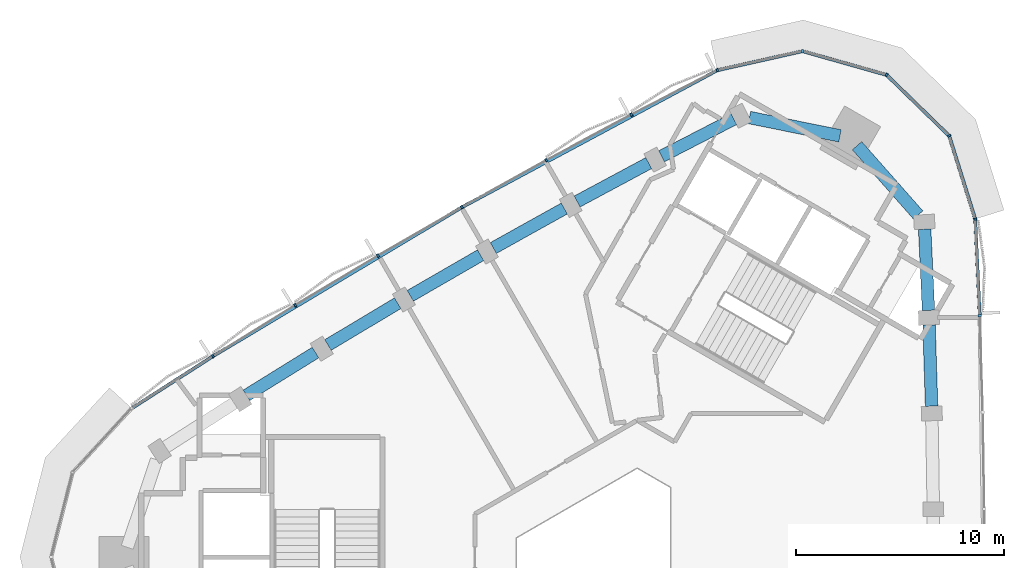
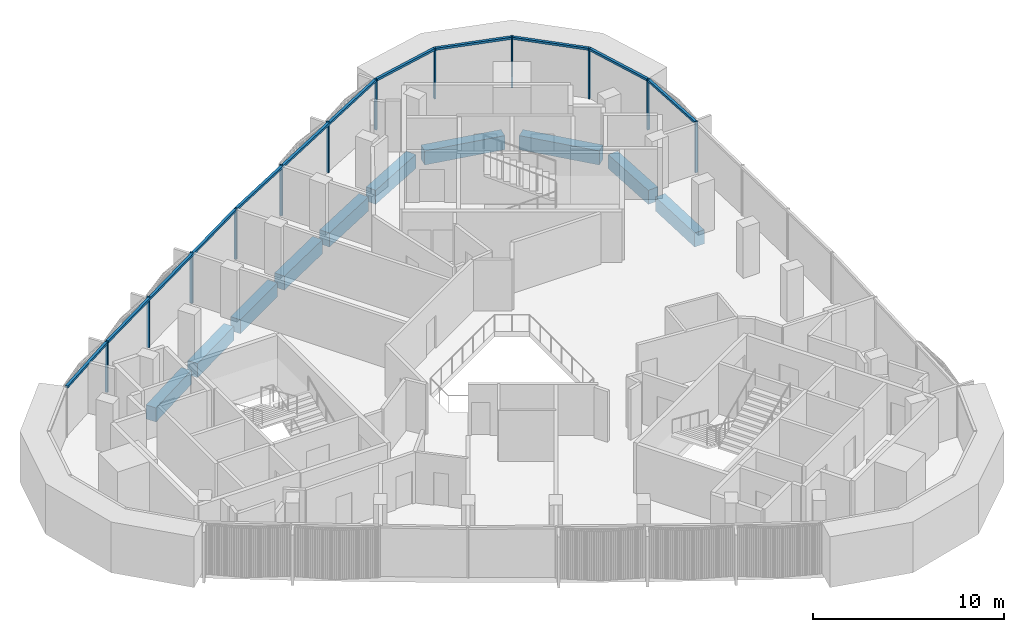
# One storey, part 4 of 12: 20 members, 10 beams, 2 elements without a shape of their own.
"""IFC4 building model written with IfcOpenShell, lengths in metres."""

import ifcopenshell
import ifcopenshell.guid

model = None  # the IFC model being written
_history = None  # IfcOwnerHistory: only IFC2X3 demands one
_inside = {}  # id of a spatial element -> (the spatial element, [elements in it])
_under = {}  # id of a project, library or spatial element -> (it, [spatial elements below it])
_declared = {}  # id of a project -> (the project, [libraries it declares])
_typed = {}  # id of a type object -> (the type object, [elements of that type])
_made_of = {}  # id of a material, layer set ... -> (it, [elements and type objects made of it])


def new_model(schema):
    """Start an empty IFC model of exactly this schema.

    Asked for "IFC4X3", IfcOpenShell would pick the latest addendum, in which some entities
    have other attributes; the version numbers below select the first issue.
    IFC2X3 requires an IfcOwnerHistory on every rooted entity: one is made here for all.
    """
    global model, _history
    if schema == "IFC4X3":
        model = ifcopenshell.file(schema_version=(4, 3, 0, 0))
    else:
        model = ifcopenshell.file(schema=schema)
    _inside.clear()
    _under.clear()
    _declared.clear()
    _typed.clear()
    _made_of.clear()
    _history = None
    if model.schema == "IFC2X3":
        org = make("IfcOrganization", Name="unknown")
        user = make(
            "IfcPersonAndOrganization",
            ThePerson=make("IfcPerson", FamilyName="unknown"),
            TheOrganization=org,
        )
        app = make(
            "IfcApplication",
            ApplicationDeveloper=org,
            Version="unknown",
            ApplicationFullName="unknown",
            ApplicationIdentifier="unknown",
        )
        _history = make(
            "IfcOwnerHistory",
            OwningUser=user,
            OwningApplication=app,
            ChangeAction="ADDED",
            CreationDate=0,
        )
    return model


def make(cls, **values):
    """One entity of the class cls with the attributes given. An attribute that is None is left unset."""
    return model.create_entity(
        cls, **{name: value for name, value in values.items() if value is not None}
    )


def rooted(cls, **values):
    """An entity with a GlobalId (a new one), such as an element, a storey or a relation."""
    return make(cls, GlobalId=ifcopenshell.guid.new(), OwnerHistory=_history, **values)


def si_unit(unit_type, name, prefix=None):
    """IfcSIUnit, for example si_unit("LENGTHUNIT", "METRE", prefix="MILLI")."""
    return make("IfcSIUnit", UnitType=unit_type, Prefix=prefix, Name=name)


def assignment(units):
    """IfcUnitAssignment: the units of a project."""
    return None if units is None else make("IfcUnitAssignment", Units=units)


def point(xyz):
    """IfcCartesianPoint."""
    return None if xyz is None else make("IfcCartesianPoint", Coordinates=xyz)


def direction(xyz):
    """IfcDirection."""
    return None if xyz is None else make("IfcDirection", DirectionRatios=xyz)


def frame(location, z_axis=None, x_axis=None):
    """IfcAxis2Placement3D, a coordinate frame: its origin and axes. An axis left out is left unset."""
    return make(
        "IfcAxis2Placement3D",
        Location=point(location),
        Axis=direction(z_axis),
        RefDirection=direction(x_axis),
    )


def frame_2d(location, x_axis=None):
    """IfcAxis2Placement2D, a coordinate frame in the plane: its origin and x axis."""
    return make(
        "IfcAxis2Placement2D", Location=point(location), RefDirection=direction(x_axis)
    )


def origin():
    """The frame at (0, 0, 0) with its axes left unset."""
    return frame((0.0, 0.0, 0.0))


def origin_2d():
    """The frame at (0, 0) in the plane with its x axis left unset."""
    return frame_2d((0.0, 0.0))


def place(relative_to, where):
    """IfcLocalPlacement: puts the frame where relative to a parent placement (None: the world)."""
    return make(
        "IfcLocalPlacement", PlacementRelTo=relative_to, RelativePlacement=where
    )


def context(
    kind, dimensions, precision=None, world=None, true_north=None, identifier=None
):
    """IfcGeometricRepresentationContext, for example the 3D "Model" context."""
    return make(
        "IfcGeometricRepresentationContext",
        ContextIdentifier=identifier,
        ContextType=kind,
        CoordinateSpaceDimension=dimensions,
        Precision=precision,
        WorldCoordinateSystem=world,
        TrueNorth=true_north,
    )


def subcontext(parent, identifier, kind, view, scale=None):
    """IfcGeometricRepresentationSubContext, for example "Body" below "Model"."""
    return make(
        "IfcGeometricRepresentationSubContext",
        ContextIdentifier=identifier,
        ContextType=kind,
        ParentContext=parent,
        TargetScale=scale,
        TargetView=view,
    )


def project(units=None, contexts=None):
    """IfcProject with its units and contexts."""
    return rooted(
        "IfcProject",
        Name="project",
        RepresentationContexts=contexts,
        UnitsInContext=assignment(units),
    )


def spatial(cls, under=None, at=None, **own):
    """A site, building, storey or space (cls), placed at a placement, below another one or the project."""
    s = rooted(cls, ObjectPlacement=at, **own)
    if under is not None:
        _under.setdefault(under.id(), (under, []))[1].append(s)
    return s


def profile(cls, at=None, kind="AREA", **sizes):
    """A parametric profile (cls). Its sizes go by their IFC names, for example OverallWidth=200.0."""
    return make(cls, ProfileType=kind, Position=at, **sizes)


def rectangle(**sizes):
    """IfcRectangleProfileDef."""
    return profile("IfcRectangleProfileDef", **sizes)


def extrude(swept, where, along, depth):
    """IfcExtrudedAreaSolid: the profile swept, set in the frame where, extruded along a direction by depth."""
    return make(
        "IfcExtrudedAreaSolid",
        SweptArea=swept,
        Position=where,
        ExtrudedDirection=direction(along),
        Depth=depth,
    )


def shape(context_of_items, identifier, shape_type, items):
    """IfcShapeRepresentation: the items that make up one representation, for example the "Body"."""
    return make(
        "IfcShapeRepresentation",
        ContextOfItems=context_of_items,
        RepresentationIdentifier=identifier,
        RepresentationType=shape_type,
        Items=items,
    )


def material(Name=None, Category=None):
    """IfcMaterial."""
    return make("IfcMaterial", Name=Name, Category=Category)


def material_profile(
    of_material, cross_section, Name=None, Category=None, Priority=None
):
    """IfcMaterialProfile: a cross section and its material."""
    return make(
        "IfcMaterialProfile",
        Name=Name,
        Material=of_material,
        Profile=cross_section,
        Priority=Priority,
        Category=Category,
    )


def profile_set(profiles, Name=None, composite=None):
    """IfcMaterialProfileSet."""
    return make(
        "IfcMaterialProfileSet",
        Name=Name,
        MaterialProfiles=profiles,
        CompositeProfile=composite,
    )


def made_of(thing, what):
    """Note that an element or type object is made of a material, layer set ...; save() writes the relation."""
    if what is not None:
        _made_of.setdefault(what.id(), (what, []))[1].append(thing)
    return thing


def type_object(cls, material=None, **own):
    """A type object (cls), such as IfcWallType, which elements share."""
    return made_of(rooted(cls, **own), material)


def element(
    cls,
    number,
    at=None,
    inside=None,
    cuts=None,
    type_object=None,
    material=None,
    context=None,
    identifier="Body",
    shape_type=None,
    held_by="IfcProductDefinitionShape",
    body=None,
    shapes=None,
    **own,
):
    """One element of the class cls, such as IfcWall. Its Tag is "e" and its number.

    at: its placement. inside: the storey or other place that contains it. cuts: it is an
    opening in that element (IfcRelVoidsElement). A single representation is given by context,
    identifier, shape_type and body (its items); several are given by shapes. held_by: the class
    of the entity that holds the representations. save() writes the other relations.
    """
    e = rooted(cls, Tag="e%d" % number, ObjectPlacement=at, **own)
    if body is not None:
        shapes = [shape(context, identifier, shape_type, body)]
    if shapes is not None:
        e.Representation = make(held_by, Representations=shapes)
    if inside is not None:
        _inside.setdefault(inside.id(), (inside, []))[1].append(e)
    if cuts is not None:
        rooted(
            "IfcRelVoidsElement", RelatingBuildingElement=cuts, RelatedOpeningElement=e
        )
    if type_object is not None:
        _typed.setdefault(type_object.id(), (type_object, []))[1].append(e)
    return made_of(e, material)


def aggregate(whole, parts):
    """IfcRelAggregates: a whole, such as a stair, and the parts it consists of."""
    return rooted("IfcRelAggregates", RelatingObject=whole, RelatedObjects=parts)


def save(model, path):
    """Write the relations noted so far, then the file.

    IfcRelAggregates (storeys below a building ...), IfcRelContainedInSpatialStructure (elements
    in a storey), IfcRelDefinesByType, IfcRelAssociatesMaterial and IfcRelDeclares: one each for
    every whole, place, type object, material and project.
    """
    for whole, parts in _under.values():
        aggregate(whole, parts)
    for where, things in _inside.values():
        rooted(
            "IfcRelContainedInSpatialStructure",
            RelatedElements=things,
            RelatingStructure=where,
        )
    for kind, things in _typed.values():
        rooted("IfcRelDefinesByType", RelatedObjects=things, RelatingType=kind)
    for what, things in _made_of.values():
        rooted("IfcRelAssociatesMaterial", RelatedObjects=things, RelatingMaterial=what)
    for by, libraries in _declared.values():
        rooted("IfcRelDeclares", RelatingContext=by, RelatedDefinitions=libraries)
    model.write(path)


model = new_model("IFC4")

# Units and contexts
model_context = context("Model", 3, precision=1e-05, world=origin(), true_north=direction((0.0, 1.0)))
body_context = subcontext(model_context, "Body", "Model", "MODEL_VIEW")
ifc_project = project(units=[si_unit("LENGTHUNIT", "METRE"), si_unit("AREAUNIT", "SQUARE_METRE"), si_unit("VOLUMEUNIT", "CUBIC_METRE"), si_unit("PLANEANGLEUNIT", "RADIAN"), si_unit("MASSUNIT", "GRAM", prefix="KILO")], contexts=[model_context])

# Site, building, storey
site_placement = place(None, origin())
site = spatial("IfcSite", under=ifc_project, at=site_placement, CompositionType="ELEMENT")
building_placement = place(site_placement, origin())
building = spatial("IfcBuilding", under=site, at=building_placement, Name="Tamra Quay Hotel Tower", CompositionType="ELEMENT")
storey_placement = place(building_placement, frame((0.0, 0.0, 280.199951171875)))
storey = spatial("IfcBuildingStorey", under=building, at=storey_placement, Name="L71", CompositionType="ELEMENT", Elevation=280.199951171875)

# Curtain wall, members
ifc_material_1 = material(Name="Aluminium 6063 anodised dark grey", Category="aluminium")
curtain_wall_type_1 = type_object("IfcCurtainWallType", Name="CW1 CURTAIN WALL", PredefinedType="NOTDEFINED", material=ifc_material_1)
curtain_wall_1_placement = place(storey_placement, origin())
curtain_wall_1 = element("IfcCurtainWall", 1, at=curtain_wall_1_placement, inside=storey, type_object=curtain_wall_type_1, Name="CW1 east face L71", PredefinedType="NOTDEFINED")
ifc_material_profile_1 = material_profile(ifc_material_1, rectangle(XDim=0.159912109375, YDim=0.10009765625, at=origin_2d()), Name="MULLION 100X160")
ifc_profile_set_1 = profile_set([ifc_material_profile_1], Name="Aluminium 6063 anodised dark grey")
member_type_1 = type_object("IfcMemberType", Name="MULLION CW1 Z6", PredefinedType="MULLION", material=ifc_profile_set_1)
member_1_placement = place(storey_placement, frame((17.866455078125, 11.60986328125, 0.0), z_axis=(0.0, 0.0, 1.0), x_axis=(0.999237934682, 0.039032677233, 0.0)))
member_1 = element("IfcMember", 2, at=member_1_placement, type_object=member_type_1, Name="CW1 mullion L71.E.7", PredefinedType="MULLION", context=body_context, shape_type="SweptSolid", body=[
    extrude(rectangle(XDim=0.159912109375, YDim=0.10009765625, at=origin_2d()), origin(), (0.0, 0.0, 1.0), 3.25),
])
member_2_placement = place(storey_placement, frame((17.648681640625, 16.25146484375, 0.0), z_axis=(0.0, 0.0, 1.0), x_axis=(0.984739923452, 0.174032419852, 0.0)))
member_2 = element("IfcMember", 3, at=member_2_placement, type_object=member_type_1, Name="CW1 mullion L71.E.8", PredefinedType="MULLION", context=body_context, shape_type="SweptSolid", body=[
    extrude(rectangle(XDim=0.159912109375, YDim=0.10009765625, at=origin_2d()), origin(), (0.0, 0.0, 1.0), 3.25),
])
member_3_placement = place(storey_placement, frame((16.39599609375, 20.2587890625, 0.0), z_axis=(0.0, 0.0, 1.0), x_axis=(0.851964184595, 0.523600065094, 0.0)))
member_3 = element("IfcMember", 4, at=member_3_placement, type_object=member_type_1, Name="CW1 mullion L71.E.9", PredefinedType="MULLION", context=body_context, shape_type="SweptSolid", body=[
    extrude(rectangle(XDim=0.159912109375, YDim=0.10009765625, at=origin_2d()), origin(), (0.0, 0.0, 1.0), 3.25),
])
member_4_placement = place(storey_placement, frame((13.38671875, 23.1865234375, 0.0), z_axis=(0.0, 0.0, 1.0), x_axis=(0.5, 0.866025403784, 0.0)))
member_4 = element("IfcMember", 5, at=member_4_placement, type_object=member_type_1, Name="CW1 mullion L71.E.10", PredefinedType="MULLION", context=body_context, shape_type="SweptSolid", body=[
    extrude(rectangle(XDim=0.159912109375, YDim=0.10009765625, at=origin_2d()), origin(), (0.0, 0.0, 1.0), 3.25),
])
member_5_placement = place(storey_placement, frame((9.346435546875, 24.32861328125, 0.0), z_axis=(0.0, 0.0, 1.0), x_axis=(0.027468865497, 0.999622659521, 0.0)))
member_5 = element("IfcMember", 6, at=member_5_placement, type_object=member_type_1, Name="CW1 mullion L71.E.11", PredefinedType="MULLION", context=body_context, shape_type="SweptSolid", body=[
    extrude(rectangle(XDim=0.159912109375, YDim=0.10009765625, at=origin_2d()), origin(), (0.0, 0.0, 1.0), 3.25),
])

curtain_wall_type_2 = type_object("IfcCurtainWallType", Name="CW2 CURTAIN WALL", PredefinedType="NOTDEFINED", material=ifc_material_1)
curtain_wall_2_placement = place(storey_placement, origin())
curtain_wall_2 = element("IfcCurtainWall", 7, at=curtain_wall_2_placement, inside=storey, type_object=curtain_wall_type_2, Name="CW2 north-west face L71", PredefinedType="NOTDEFINED")
ifc_material_profile_2 = material_profile(ifc_material_1, rectangle(XDim=0.159912109375, YDim=0.10009765625, at=origin_2d()), Name="MULLION 100X160")
ifc_profile_set_2 = profile_set([ifc_material_profile_2], Name="Aluminium 6063 anodised dark grey")
member_type_2 = type_object("IfcMemberType", Name="MULLION CW2 Z6", PredefinedType="MULLION", material=ifc_profile_set_2)
member_6_placement = place(storey_placement, frame((5.249755859375, 23.409912109375, 0.0), z_axis=(0.0, 0.0, 1.0), x_axis=(-0.341653465052, 0.939825999756, 0.0)))
member_6 = element("IfcMember", 8, at=member_6_placement, type_object=member_type_2, Name="CW2 mullion L71.NW.1", PredefinedType="MULLION", context=body_context, shape_type="SweptSolid", body=[
    extrude(rectangle(XDim=0.159912109375, YDim=0.10009765625, at=origin_2d()), origin(), (0.0, 0.0, 1.0), 3.25),
])
member_7_placement = place(storey_placement, frame((1.121337890625, 21.277587890625, 0.0), z_axis=(0.0, 0.0, 1.0), x_axis=(-0.46581567728, 0.884881774476, 0.0)))
member_7 = element("IfcMember", 9, at=member_7_placement, type_object=member_type_2, Name="CW2 mullion L71.NW.2", PredefinedType="MULLION", context=body_context, shape_type="SweptSolid", body=[
    extrude(rectangle(XDim=0.159912109375, YDim=0.10009765625, at=origin_2d()), origin(), (0.0, 0.0, 1.0), 3.25),
])
member_8_placement = place(storey_placement, frame((-2.97119140625, 19.08251953125, 0.0), z_axis=(0.0, 0.0, 1.0), x_axis=(-0.479564696566, 0.877506525222, 0.0)))
member_8 = element("IfcMember", 10, at=member_8_placement, type_object=member_type_2, Name="CW2 mullion L71.NW.3", PredefinedType="MULLION", context=body_context, shape_type="SweptSolid", body=[
    extrude(rectangle(XDim=0.159912109375, YDim=0.10009765625, at=origin_2d()), origin(), (0.0, 0.0, 1.0), 3.25),
])
member_9_placement = place(storey_placement, frame((-7.0302734375, 16.82275390625, 0.0), z_axis=(0.0, 0.0, 1.0), x_axis=(-0.493215265746, 0.869907294851, 0.0)))
member_9 = element("IfcMember", 11, at=member_9_placement, type_object=member_type_2, Name="CW2 mullion L71.NW.4", PredefinedType="MULLION", context=body_context, shape_type="SweptSolid", body=[
    extrude(rectangle(XDim=0.159912109375, YDim=0.10009765625, at=origin_2d()), origin(), (0.0, 0.0, 1.0), 3.25),
])
member_10_placement = place(storey_placement, frame((-11.0537109375, 14.499755859375, 0.0), z_axis=(0.0, 0.0, 1.0), x_axis=(-0.506754183405, 0.862090597096, 0.0)))
member_10 = element("IfcMember", 12, at=member_10_placement, type_object=member_type_2, Name="CW2 mullion L71.NW.5", PredefinedType="MULLION", context=body_context, shape_type="SweptSolid", body=[
    extrude(rectangle(XDim=0.159912109375, YDim=0.10009765625, at=origin_2d()), origin(), (0.0, 0.0, 1.0), 3.25),
])
member_11_placement = place(storey_placement, frame((-15.040283203125, 12.1142578125, 0.0), z_axis=(0.0, 0.0, 1.0), x_axis=(-0.520160594546, 0.854068472596, 0.0)))
member_11 = element("IfcMember", 13, at=member_11_placement, type_object=member_type_2, Name="CW2 mullion L71.NW.6", PredefinedType="MULLION", context=body_context, shape_type="SweptSolid", body=[
    extrude(rectangle(XDim=0.159912109375, YDim=0.10009765625, at=origin_2d()), origin(), (0.0, 0.0, 1.0), 3.25),
])
member_12_placement = place(storey_placement, frame((-18.98779296875, 9.667724609375, 0.0), z_axis=(0.0, 0.0, 1.0), x_axis=(-0.533422257402, 0.845849097244, 0.0)))
member_12 = element("IfcMember", 14, at=member_12_placement, type_object=member_type_2, Name="CW2 mullion L71.NW.7", PredefinedType="MULLION", context=body_context, shape_type="SweptSolid", body=[
    extrude(rectangle(XDim=0.159912109375, YDim=0.10009765625, at=origin_2d()), origin(), (0.0, 0.0, 1.0), 3.25),
])

# Beams
ifc_material_2 = material(Name="Concrete M60", Category="concrete")
ifc_material_profile_3 = material_profile(ifc_material_2, rectangle(XDim=0.60009765625, YDim=0.89990234375, at=origin_2d()), Name="SPANDREL BEAM RC 600x900")
ifc_profile_set_3 = profile_set([ifc_material_profile_3], Name="Concrete M60")
beam_type = type_object("IfcBeamType", Name="SPANDREL BEAM RC 600x900", PredefinedType="SPANDREL", material=ifc_profile_set_3)
beam_1_placement = place(storey_placement, frame((15.55126953125, 7.259765625, -0.800048828125), z_axis=(-0.031240604276, 0.999511893198, 0.0), x_axis=(-0.999511893198, -0.031240604276, 0.0)))
element("IfcBeam", 15, at=beam_1_placement, inside=storey, type_object=beam_type, Name="BM-SP6-005-L71", PredefinedType="SPANDREL", context=body_context, shape_type="SweptSolid", body=[
    extrude(rectangle(XDim=0.60009765625, YDim=0.89990234375, at=origin_2d()), origin(), (0.0, 0.0, 1.0), 3.907470703125),
])
beam_2_placement = place(storey_placement, frame((15.40185546875, 11.86474609375, -0.800048828125), z_axis=(-0.04680507522, 0.998904041905, 0.0), x_axis=(-0.998904041905, -0.04680507522, 0.0)))
element("IfcBeam", 16, at=beam_2_placement, inside=storey, type_object=beam_type, Name="BM-SP6-006-L71", PredefinedType="SPANDREL", context=body_context, shape_type="SweptSolid", body=[
    extrude(rectangle(XDim=0.60009765625, YDim=0.89990234375, at=origin_2d()), origin(), (0.0, 0.0, 1.0), 3.906982421875),
])
beam_3_placement = place(storey_placement, frame((14.9072265625, 16.451171875, -0.800048828125), z_axis=(-0.661856103448, 0.749630908066, 0.0), x_axis=(-0.749630908066, -0.661856103448, 0.0)))
element("IfcBeam", 17, at=beam_3_placement, inside=storey, type_object=beam_type, Name="BM-SP6-007-L71", PredefinedType="SPANDREL", context=body_context, shape_type="SweptSolid", body=[
    extrude(rectangle(XDim=0.60009765625, YDim=0.89990234375, at=origin_2d()), origin(), (0.0, 0.0, 1.0), 4.44189453125),
])
beam_4_placement = place(storey_placement, frame((11.146728515625, 20.25439453125, -0.800048828125), z_axis=(-0.980114952618, 0.198430541133, 0.0), x_axis=(-0.198430541133, -0.980114952618, 0.0)))
element("IfcBeam", 18, at=beam_4_placement, inside=storey, type_object=beam_type, Name="BM-SP6-008-L71", PredefinedType="SPANDREL", context=body_context, shape_type="SweptSolid", body=[
    extrude(rectangle(XDim=0.60009765625, YDim=0.89990234375, at=origin_2d()), origin(), (0.0, 0.0, 1.0), 4.441650390625),
])
beam_5_placement = place(storey_placement, frame((6.04541015625, 21.063720703125, -0.800048828125), z_axis=(-0.888476019227, -0.458923047208, 0.0), x_axis=(0.458923047208, -0.888476019227, 0.0)))
element("IfcBeam", 19, at=beam_5_placement, inside=storey, type_object=beam_type, Name="BM-SP6-009-L71", PredefinedType="SPANDREL", context=body_context, shape_type="SweptSolid", body=[
    extrude(rectangle(XDim=0.60009765625, YDim=0.89990234375, at=origin_2d()), origin(), (0.0, 0.0, 1.0), 3.906982421875),
])
beam_6_placement = place(storey_placement, frame((1.954833984375, 18.944580078125, -0.800048828125), z_axis=(-0.88123835064, -0.472672158437, 0.0), x_axis=(0.472672158437, -0.88123835064, 0.0)))
element("IfcBeam", 20, at=beam_6_placement, inside=storey, type_object=beam_type, Name="BM-SP6-010-L71", PredefinedType="SPANDREL", context=body_context, shape_type="SweptSolid", body=[
    extrude(rectangle(XDim=0.60009765625, YDim=0.89990234375, at=origin_2d()), origin(), (0.0, 0.0, 1.0), 3.907470703125),
])
for number, where, z_axis, x_axis, name in (
    (21, (-2.102783203125, 16.761962890625, -0.800048828125), (-0.873726581477, -0.486417373066, 0.0), (0.486417373066, -0.873726581477, 0.0), "BM-SP6-011-L71"),
    (22, (-6.125244140625, 14.516357421875, -0.800048828125), (-0.866011803689, -0.500023555316, 0.0), (0.500023555316, -0.866011803689, 0.0), "BM-SP6-012-L71"),
):
    element("IfcBeam", number, at=place(storey_placement, frame(where, z_axis=z_axis, x_axis=x_axis)), inside=storey, type_object=beam_type, Name=name, PredefinedType="SPANDREL", context=body_context, shape_type="SweptSolid", body=[
        extrude(rectangle(XDim=0.60009765625, YDim=0.89990234375, at=origin_2d()), origin(), (0.0, 0.0, 1.0), 3.906982421875),
    ])
beam_7_placement = place(storey_placement, frame((-10.1123046875, 12.2080078125, -0.800048828125), z_axis=(-0.858120821909, -0.513447811376, 0.0), x_axis=(0.513447811376, -0.858120821909, 0.0)))
element("IfcBeam", 23, at=beam_7_placement, inside=storey, type_object=beam_type, Name="BM-SP6-013-L71", PredefinedType="SPANDREL", context=body_context, shape_type="SweptSolid", body=[
    extrude(rectangle(XDim=0.60009765625, YDim=0.89990234375, at=origin_2d()), origin(), (0.0, 0.0, 1.0), 3.9072265625),
])
beam_8_placement = place(storey_placement, frame((-14.062744140625, 9.837890625, -0.800048828125), z_axis=(-0.849972078006, -0.526827739029, 0.0), x_axis=(0.526827739029, -0.849972078006, 0.0)))
element("IfcBeam", 24, at=beam_8_placement, inside=storey, type_object=beam_type, Name="BM-SP6-014-L71", PredefinedType="SPANDREL", context=body_context, shape_type="SweptSolid", body=[
    extrude(rectangle(XDim=0.60009765625, YDim=0.89990234375, at=origin_2d()), origin(), (0.0, 0.0, 1.0), 3.907470703125),
])

# Member
ifc_material_profile_4 = material_profile(ifc_material_1, rectangle(XDim=0.159912109375, YDim=0.139892578125, at=origin_2d()), Name="TRANSOM 160X140")
ifc_profile_set_4 = profile_set([ifc_material_profile_4], Name="Aluminium 6063 anodised dark grey")
member_type_3 = type_object("IfcMemberType", Name="TRANSOM CW1 Z6", PredefinedType="USERDEFINED", material=ifc_profile_set_4)
member_13_placement = place(storey_placement, frame((17.864013671875, 11.659912109375, 3.179931640625), z_axis=(-0.046825260704, 0.998903095881, 0.0), x_axis=(-0.998903095881, -0.046825260704, 0.0)))
member_13 = element("IfcMember", 25, at=member_13_placement, type_object=member_type_3, Name="CW1 transom L71.E.7", ObjectType="TRANSOM", PredefinedType="USERDEFINED", context=body_context, shape_type="SweptSolid", body=[
    extrude(rectangle(XDim=0.159912109375, YDim=0.139892578125, at=origin_2d()), origin(), (0.0, 0.0, 1.0), 4.54638671875),
])

member_14_placement = place(storey_placement, frame((17.6337890625, 16.299072265625, 3.179931640625), z_axis=(-0.298373352037, 0.954449235315, 0.0), x_axis=(-0.954449235315, -0.298373352037, 0.0)))
member_14 = element("IfcMember", 26, at=member_14_placement, type_object=member_type_3, Name="CW1 transom L71.E.8", ObjectType="TRANSOM", PredefinedType="USERDEFINED", context=body_context, shape_type="SweptSolid", body=[
    extrude(rectangle(XDim=0.159912109375, YDim=0.139892578125, at=origin_2d()), origin(), (0.0, 0.0, 1.0), 4.0986328125),
])

member_15_placement = place(storey_placement, frame((16.360107421875, 20.29345703125, 3.179931640625), z_axis=(-0.716720298204, 0.697360748926, 0.0), x_axis=(-0.697360748926, -0.716720298204, 0.0)))
member_15 = element("IfcMember", 27, at=member_15_placement, type_object=member_type_3, Name="CW1 transom L71.E.9", ObjectType="TRANSOM", PredefinedType="USERDEFINED", context=body_context, shape_type="SweptSolid", body=[
    extrude(rectangle(XDim=0.159912109375, YDim=0.139892578125, at=origin_2d()), origin(), (0.0, 0.0, 1.0), 4.0986328125),
])

member_16_placement = place(storey_placement, frame((13.338623046875, 23.199951171875, 3.179931640625), z_axis=(-0.962266689751, 0.272108099467, 0.0), x_axis=(-0.272108099467, -0.962266689751, 0.0)))
member_16 = element("IfcMember", 28, at=member_16_placement, type_object=member_type_3, Name="CW1 transom L71.E.10", ObjectType="TRANSOM", PredefinedType="USERDEFINED", context=body_context, shape_type="SweptSolid", body=[
    extrude(rectangle(XDim=0.159912109375, YDim=0.139892578125, at=origin_2d()), origin(), (0.0, 0.0, 1.0), 4.098388671875),
])

member_17_placement = place(storey_placement, frame((9.2978515625, 24.317626953125, 3.179931640625), z_axis=(-0.975771819949, -0.21879066569, 0.0), x_axis=(0.21879066569, -0.975771819949, 0.0)))
member_17 = element("IfcMember", 29, at=member_17_placement, type_object=member_type_3, Name="CW1 transom L71.E.11", ObjectType="TRANSOM", PredefinedType="USERDEFINED", context=body_context, shape_type="SweptSolid", body=[
    extrude(rectangle(XDim=0.159912109375, YDim=0.139892578125, at=origin_2d()), origin(), (0.0, 0.0, 1.0), 4.0986328125),
])

aggregate(curtain_wall_1, [member_1, member_13, member_2, member_14, member_3, member_15, member_4, member_16, member_5, member_17])

ifc_material_profile_5 = material_profile(ifc_material_1, rectangle(XDim=0.159912109375, YDim=0.139892578125, at=origin_2d()), Name="TRANSOM 160X140")
ifc_profile_set_5 = profile_set([ifc_material_profile_5], Name="Aluminium 6063 anodised dark grey")
member_type_4 = type_object("IfcMemberType", Name="TRANSOM CW2 Z6", PredefinedType="USERDEFINED", material=ifc_profile_set_5)
member_18_placement = place(storey_placement, frame((5.205322265625, 23.386962890625, 3.179931640625), z_axis=(-0.881219076689, -0.472708090559, 0.0), x_axis=(0.472708090559, -0.881219076689, 0.0)))
member_18 = element("IfcMember", 30, at=member_18_placement, type_object=member_type_4, Name="CW2 transom L71.NW.1", ObjectType="TRANSOM", PredefinedType="USERDEFINED", context=body_context, shape_type="SweptSolid", body=[
    extrude(rectangle(XDim=0.159912109375, YDim=0.139892578125, at=origin_2d()), origin(), (0.0, 0.0, 1.0), 13.835205078125),
])

member_19_placement = place(storey_placement, frame((-7.07373046875, 16.797607421875, 3.179931640625), z_axis=(-0.858107378592, -0.513470278406, 0.0), x_axis=(0.513470278406, -0.858107378592, 0.0)))
member_19 = element("IfcMember", 31, at=member_19_placement, type_object=member_type_4, Name="CW2 transom L71.NW.4", ObjectType="TRANSOM", PredefinedType="USERDEFINED", context=body_context, shape_type="SweptSolid", body=[
    extrude(rectangle(XDim=0.159912109375, YDim=0.139892578125, at=origin_2d()), origin(), (0.0, 0.0, 1.0), 13.834228515625),
])

member_20_placement = place(storey_placement, frame((-19.02978515625, 9.640625, 3.179931640625), z_axis=(-0.841670137193, -0.539992018605, 0.0), x_axis=(0.539992018605, -0.841670137193, 0.0)))
member_20 = element("IfcMember", 32, at=member_20_placement, type_object=member_type_4, Name="CW2 transom L71.NW.7", ObjectType="TRANSOM", PredefinedType="USERDEFINED", context=body_context, shape_type="SweptSolid", body=[
    extrude(rectangle(XDim=0.159912109375, YDim=0.139892578125, at=origin_2d()), origin(), (0.0, 0.0, 1.0), 4.54638671875),
])

aggregate(curtain_wall_2, [member_6, member_18, member_7, member_8, member_9, member_19, member_10, member_11, member_12, member_20])

save(model, "model.ifc")
